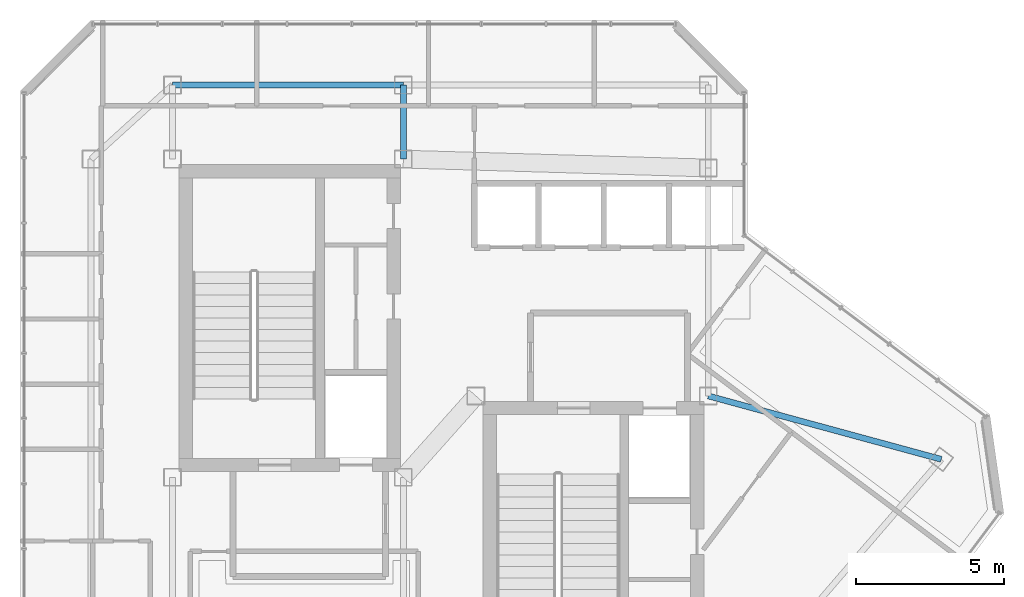
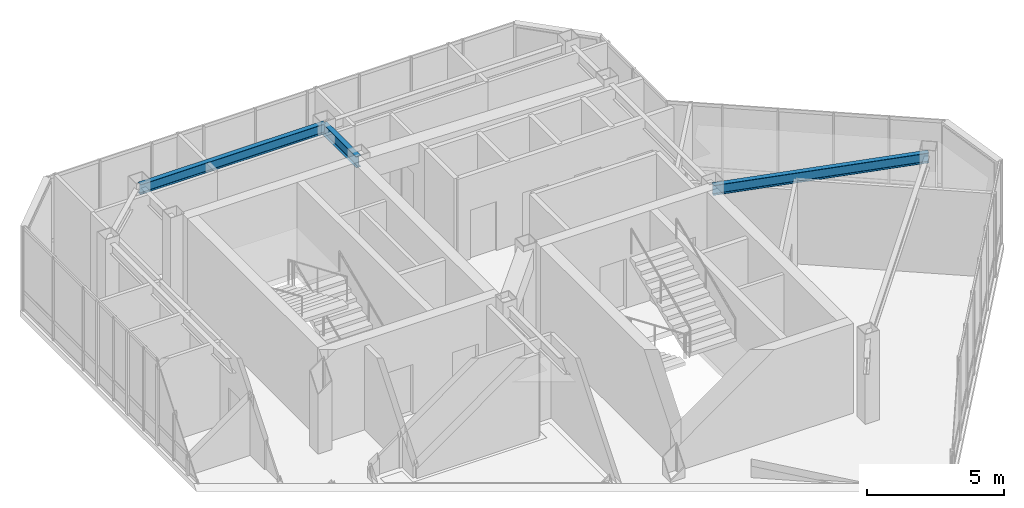
# One storey, part 16 of 29: 3 beams.
"""IFC4 building model written with IfcOpenShell, lengths in metres."""

from ifc_helpers import new_model, si_unit, direction, frame, origin, origin_2d, place, context, subcontext, project, spatial, i_section, extrude, material, material_profile, profile_set, type_object, element, save


model = new_model("IFC4")

# Units and contexts
model_context = context("Model", 3, precision=1e-05, world=origin(), true_north=direction((0.0, 1.0)))
body_context = subcontext(model_context, "Body", "Model", "MODEL_VIEW")
ifc_project = project(units=[si_unit("LENGTHUNIT", "METRE"), si_unit("AREAUNIT", "SQUARE_METRE"), si_unit("VOLUMEUNIT", "CUBIC_METRE"), si_unit("PLANEANGLEUNIT", "RADIAN"), si_unit("MASSUNIT", "GRAM", prefix="KILO")], contexts=[model_context])

# Site, building, storey
site_placement = place(None, origin())
site = spatial("IfcSite", under=ifc_project, at=site_placement, CompositionType="ELEMENT")
building_placement = place(site_placement, origin())
building = spatial("IfcBuilding", under=site, at=building_placement, Name="Hatsunagi Terrace Concourse", CompositionType="ELEMENT")
storey_placement = place(building_placement, frame((0.0, 0.0, 277.949951171875)))
storey = spatial("IfcBuildingStorey", under=building, at=storey_placement, Name="L73", CompositionType="ELEMENT", Elevation=277.949951171875)

# Beams
ifc_material_1 = material(Name="Steel SN490B", Category="steel")
ifc_material_profile_1 = material_profile(ifc_material_1, i_section(OverallWidth=0.199951171875, OverallDepth=0.5, WebThickness=0.010009765625, FlangeThickness=0.01611328125, FilletRadius=0.01611328125, at=origin_2d()), Name="H-500x200x10x16")
ifc_profile_set_1 = profile_set([ifc_material_profile_1], Name="Steel SN490B")
beam_type_1 = type_object("IfcBeamType", Name="CrownFloorGirder_H_500x200", PredefinedType="BEAM", material=ifc_profile_set_1)
beam_1_placement = place(storey_placement, frame((33.35009765625, 43.300048828125, 3.5), z_axis=(0.0, 1.0, 0.0), x_axis=(-1.0, 0.0, 0.0)))
element("IfcBeam", 1, at=beam_1_placement, inside=storey, type_object=beam_type_1, Name="Beam G-07 BM-L73-CN2", PredefinedType="BEAM", context=body_context, shape_type="SweptSolid", body=[
    extrude(i_section(OverallWidth=0.199951171875, OverallDepth=0.5, WebThickness=0.010009765625, FlangeThickness=0.01611328125, FilletRadius=0.01611328125, at=origin_2d()), origin(), (0.0, 0.0, 1.0), 2.5),
])
ifc_material_2 = material(Name="Steel SN490B", Category="steel")
ifc_material_profile_2 = material_profile(ifc_material_2, i_section(OverallWidth=0.199951171875, OverallDepth=0.449951171875, WebThickness=0.009033203125, FlangeThickness=0.013916015625, FilletRadius=0.01611328125, at=origin_2d()), Name="H-450x200x9x14")
ifc_profile_set_2 = profile_set([ifc_material_profile_2], Name="Steel SN490B")
beam_type_2 = type_object("IfcBeamType", Name="PerimeterSpandrel_H_450x200", PredefinedType="SPANDREL", material=ifc_profile_set_2)
beam_2_placement = place(storey_placement, frame((25.550048828125, 45.800048828125, 3.525146484375), z_axis=(1.0, 0.0, 0.0), x_axis=(0.0, 1.0, 0.0)))
element("IfcBeam", 2, at=beam_2_placement, inside=storey, type_object=beam_type_2, Name="Beam SP-02 BM-L73-CNEW1", PredefinedType="SPANDREL", context=body_context, shape_type="SweptSolid", body=[
    extrude(i_section(OverallWidth=0.199951171875, OverallDepth=0.449951171875, WebThickness=0.009033203125, FlangeThickness=0.013916015625, FilletRadius=0.01611328125, at=origin_2d()), origin(), (0.0, 0.0, 1.0), 7.800048828125),
])
beam_3_placement = place(storey_placement, frame((43.64990234375, 35.300048828125, 3.525146484375), z_axis=(0.964958359286, -0.262403057994, 0.0), x_axis=(0.262403057994, 0.964958359286, 0.0)))
element("IfcBeam", 3, at=beam_3_placement, inside=storey, type_object=beam_type_2, Name="Beam SP-02 BM-L73-SE-NE0", PredefinedType="SPANDREL", context=body_context, shape_type="SweptSolid", body=[
    extrude(i_section(OverallWidth=0.199951171875, OverallDepth=0.449951171875, WebThickness=0.009033203125, FlangeThickness=0.013916015625, FilletRadius=0.01611328125, at=origin_2d()), origin(), (0.0, 0.0, 1.0), 8.156005859375),
])

save(model, "model.ifc")
